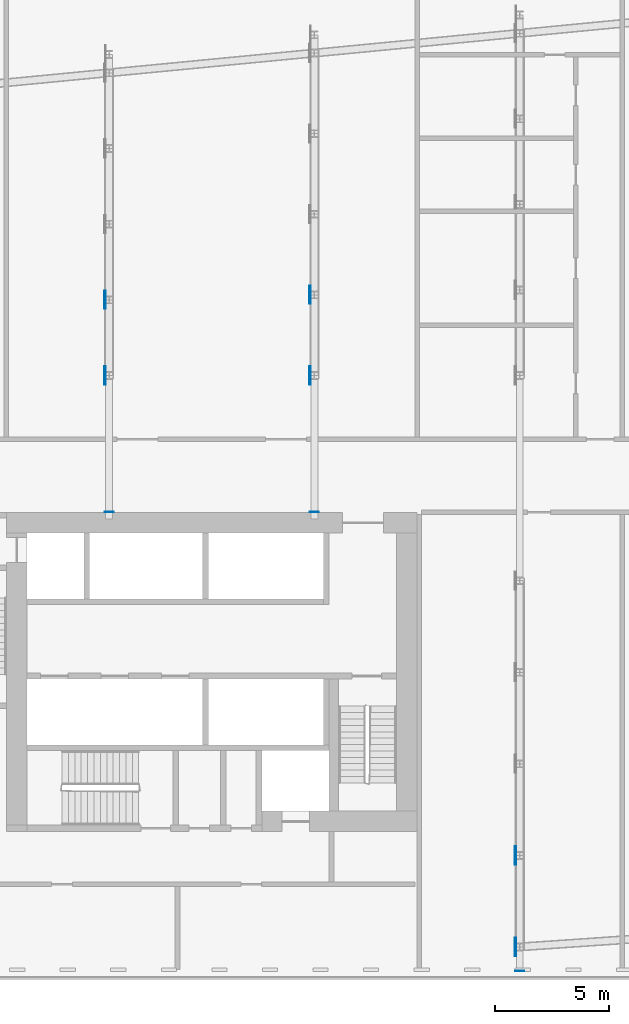
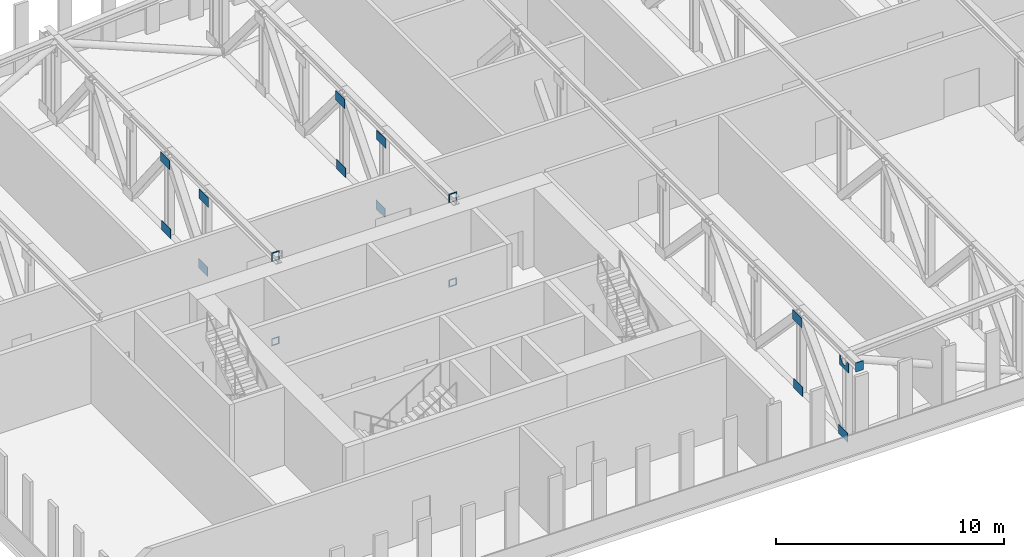
# One storey, part 11 of 22: 17 discrete accessories.
"""IFC4 building model written with IfcOpenShell, lengths in metres."""

from ifc_helpers import new_model, si_unit, direction, frame, origin, place, context, subcontext, project, spatial, polyline, outline, extrude, material, layer, layer_set, type_object, element, save


model = new_model("IFC4")

# Units and contexts
model_context = context("Model", 3, precision=1e-05, world=origin(), true_north=direction((0.0, 1.0)))
body_context = subcontext(model_context, "Body", "Model", "MODEL_VIEW")
ifc_project = project(units=[si_unit("LENGTHUNIT", "METRE"), si_unit("AREAUNIT", "SQUARE_METRE"), si_unit("VOLUMEUNIT", "CUBIC_METRE"), si_unit("PLANEANGLEUNIT", "RADIAN"), si_unit("MASSUNIT", "GRAM", prefix="KILO")], contexts=[model_context])

# Site, building, storey
site_placement = place(None, origin())
site = spatial("IfcSite", under=ifc_project, at=site_placement, CompositionType="ELEMENT")
building_placement = place(site_placement, origin())
building = spatial("IfcBuilding", under=site, at=building_placement, Name="Kajstack Hotel Tower", CompositionType="ELEMENT")
storey_placement = place(building_placement, frame((0.0, 0.0, 99.60009765625)))
storey = spatial("IfcBuildingStorey", under=building, at=storey_placement, Name="L21", CompositionType="ELEMENT", Elevation=99.60009765625)

# Discrete accessories
ifc_material = material(Name="Steel S355J2", Category="steel")
ifc_layer_1 = layer(ifc_material, 0.02490234375)
ifc_layer_set_1 = layer_set([ifc_layer_1], Name="CAST-IN PLATE")
discrete_accessory_type_1 = type_object("IfcDiscreteAccessoryType", Name="CAST-IN PLATE", PredefinedType="BRACKET", material=ifc_layer_set_1)
discrete_accessory_1_placement = place(storey_placement, frame((-18.0, -1.5, -0.150146484375), z_axis=(0.0, 1.0, 0.0), x_axis=(-1.0, 0.0, 0.0)))
element("IfcDiscreteAccessory", 1, at=discrete_accessory_1_placement, inside=storey, type_object=discrete_accessory_type_1, Name="Cast-in plate L21-009", PredefinedType="BRACKET", context=body_context, shape_type="SweptSolid", body=[
    extrude(outline(polyline([(-0.199951171875, -0.199951171875), (0.199951171875, -0.199951171875), (0.199951171875, 0.199951171875), (-0.199951171875, 0.199951171875), (-0.199951171875, -0.199951171875)]), holes=[polyline([(-0.14990234375, -0.14990234375), (-0.14990234375, 0.14990234375), (0.14990234375, 0.14990234375), (0.14990234375, -0.14990234375), (-0.14990234375, -0.14990234375)])]), origin(), (0.0, 0.0, 1.0), 0.02490234375),
])
discrete_accessory_2_placement = place(storey_placement, frame((-18.0, -1.5, 4.40478515625), z_axis=(0.0, 1.0, 0.0), x_axis=(-1.0, 0.0, 0.0)))
element("IfcDiscreteAccessory", 2, at=discrete_accessory_2_placement, inside=storey, type_object=discrete_accessory_type_1, Name="Cast-in plate L21-010", PredefinedType="BRACKET", context=body_context, shape_type="SweptSolid", body=[
    extrude(outline(polyline([(-0.199951171875, -0.2451171875), (0.199951171875, -0.2451171875), (0.199951171875, 0.2451171875), (-0.199951171875, 0.2451171875), (-0.199951171875, -0.2451171875)]), holes=[polyline([(-0.14990234375, -0.195068359375), (-0.14990234375, 0.195068359375), (0.14990234375, 0.195068359375), (0.14990234375, -0.195068359375), (-0.14990234375, -0.195068359375)])]), origin(), (0.0, 0.0, 1.0), 0.02490234375),
])
discrete_accessory_3_placement = place(storey_placement, frame((-27.0, -1.5, -0.150146484375), z_axis=(0.0, 1.0, 0.0), x_axis=(-1.0, 0.0, 0.0)))
element("IfcDiscreteAccessory", 3, at=discrete_accessory_3_placement, inside=storey, type_object=discrete_accessory_type_1, Name="Cast-in plate L21-011", PredefinedType="BRACKET", context=body_context, shape_type="SweptSolid", body=[
    extrude(outline(polyline([(-0.199951171875, -0.199951171875), (0.199951171875, -0.199951171875), (0.199951171875, 0.199951171875), (-0.199951171875, 0.199951171875), (-0.199951171875, -0.199951171875)]), holes=[polyline([(-0.14990234375, -0.14990234375), (-0.14990234375, 0.14990234375), (0.14990234375, 0.14990234375), (0.14990234375, -0.14990234375), (-0.14990234375, -0.14990234375)])]), origin(), (0.0, 0.0, 1.0), 0.02490234375),
])
discrete_accessory_4_placement = place(storey_placement, frame((-27.0, -1.5, 4.40478515625), z_axis=(0.0, 1.0, 0.0), x_axis=(-1.0, 0.0, 0.0)))
element("IfcDiscreteAccessory", 4, at=discrete_accessory_4_placement, inside=storey, type_object=discrete_accessory_type_1, Name="Cast-in plate L21-012", PredefinedType="BRACKET", context=body_context, shape_type="SweptSolid", body=[
    extrude(outline(polyline([(-0.199951171875, -0.2451171875), (0.199951171875, -0.2451171875), (0.199951171875, 0.2451171875), (-0.199951171875, 0.2451171875), (-0.199951171875, -0.2451171875)]), holes=[polyline([(-0.14990234375, -0.195068359375), (-0.14990234375, 0.195068359375), (0.14990234375, 0.195068359375), (0.14990234375, -0.195068359375), (-0.14990234375, -0.195068359375)])]), origin(), (0.0, 0.0, 1.0), 0.02490234375),
])
ifc_layer_2 = layer(ifc_material, 0.02490234375)
ifc_layer_set_2 = layer_set([ifc_layer_2], Name="END PLATE")
discrete_accessory_type_2 = type_object("IfcDiscreteAccessoryType", Name="END PLATE", PredefinedType="BRACKET", material=ifc_layer_set_2)
discrete_accessory_5_placement = place(storey_placement, frame((-9.0, -21.6240234375, 4.40478515625), z_axis=(0.0, 1.0, 0.0), x_axis=(-1.0, 0.0, 0.0)))
element("IfcDiscreteAccessory", 5, at=discrete_accessory_5_placement, inside=storey, type_object=discrete_accessory_type_2, Name="End plate L21-001", PredefinedType="BRACKET", context=body_context, shape_type="SweptSolid", body=[
    extrude(outline(polyline([(-0.199951171875, -0.2451171875), (0.199951171875, -0.2451171875), (0.199951171875, 0.2451171875), (-0.199951171875, 0.2451171875), (-0.199951171875, -0.2451171875)])), origin(), (0.0, 0.0, 1.0), 0.02490234375),
])
ifc_layer_3 = layer(ifc_material, 0.02001953125)
ifc_layer_set_3 = layer_set([ifc_layer_3], Name="GUSSET PLATE")
discrete_accessory_type_3 = type_object("IfcDiscreteAccessoryType", Name="GUSSET PLATE", PredefinedType="BRACKET", material=ifc_layer_set_3)
for number, where, z_axis, x_axis, name in (
    (6, (-27.219970703125, 4.5, 0.0), (1.0, 0.0, 0.0), (0.0, 1.0, 0.0), "Gusset plate L21-163"),
    (7, (-27.175048828125, 4.5, 3.699951171875), (1.0, 0.0, 0.0), (0.0, 1.0, 0.0), "Gusset plate L21-164"),
    (8, (-27.175048828125, 7.815673828125, 0.0), (1.0, 0.0, 0.0), (0.0, 1.0, 0.0), "Gusset plate L21-165"),
    (9, (-27.219970703125, 7.815673828125, 3.699951171875), (1.0, 0.0, 0.0), (0.0, 1.0, 0.0), "Gusset plate L21-166"),
    (10, (-18.219970703125, 4.5, 0.0), (1.0, 0.0, 0.0), (0.0, 1.0, 0.0), "Gusset plate L21-175"),
    (11, (-18.175048828125, 4.5, 3.699951171875), (1.0, 0.0, 0.0), (0.0, 1.0, 0.0), "Gusset plate L21-176"),
    (12, (-18.175048828125, 8.0322265625, 0.0), (1.0, 0.0, 0.0), (0.0, 1.0, 0.0), "Gusset plate L21-177"),
    (13, (-18.219970703125, 8.0322265625, 3.699951171875), (1.0, 0.0, 0.0), (0.0, 1.0, 0.0), "Gusset plate L21-178"),
    (14, (-9.219970703125, -20.550048828125, 0.0), (1.0, 0.0, 0.0), (0.0, 1.0, 0.0), "Gusset plate L21-187"),
):
    element("IfcDiscreteAccessory", number, at=place(storey_placement, frame(where, z_axis=z_axis, x_axis=x_axis)), inside=storey, type_object=discrete_accessory_type_3, Name=name, PredefinedType="BRACKET", context=body_context, shape_type="SweptSolid", body=[
        extrude(outline(polyline([(-0.39990234375, 0.0), (0.39990234375, 0.0), (0.39990234375, 0.5), (-0.39990234375, 0.5), (-0.39990234375, 0.0)])), origin(), (0.0, 0.0, 1.0), 0.02001953125),
    ])
discrete_accessory_6_placement = place(storey_placement, frame((-9.175048828125, -20.550048828125, 3.699951171875), z_axis=(1.0, 0.0, 0.0), x_axis=(0.0, 1.0, 0.0)))
element("IfcDiscreteAccessory", 15, at=discrete_accessory_6_placement, inside=storey, type_object=discrete_accessory_type_3, Name="Gusset plate L21-188", PredefinedType="BRACKET", context=body_context, shape_type="SweptSolid", body=[
    extrude(outline(polyline([(0.39990234375, 0.5), (0.265625, 0.5), (0.268798828125, 0.47021484375), (0.268798828125, 0.444580078125), (0.26611328125, 0.4189453125), (0.26123046875, 0.393798828125), (0.253662109375, 0.369384765625), (0.243896484375, 0.345458984375), (0.231689453125, 0.322998046875), (0.217529296875, 0.3017578125), (0.201171875, 0.28173828125), (0.182861328125, 0.263671875), (0.1630859375, 0.24755859375), (0.1416015625, 0.233154296875), (0.119140625, 0.22119140625), (0.095458984375, 0.21142578125), (0.07080078125, 0.2041015625), (0.045654296875, 0.198974609375), (0.02001953125, 0.196533203125), (-0.005615234375, 0.196533203125), (-0.031005859375, 0.19921875), (-0.056396484375, 0.204345703125), (-0.080810546875, 0.211669921875), (-0.1044921875, 0.2216796875), (-0.127197265625, 0.233642578125), (-0.1484375, 0.248046875), (-0.168212890625, 0.264404296875), (-0.186279296875, 0.282470703125), (-0.20263671875, 0.30224609375), (-0.216796875, 0.32373046875), (-0.228759765625, 0.346435546875), (-0.23876953125, 0.3701171875), (-0.24609375, 0.39453125), (-0.2509765625, 0.419921875), (-0.2626953125, 0.5), (-0.39990234375, 0.5), (-0.39990234375, 0.0), (0.39990234375, 0.0), (0.39990234375, 0.5)])), origin(), (0.0, 0.0, 1.0), 0.02001953125),
])
for number, where, z_axis, x_axis, name in (
    (16, (-9.175048828125, -16.53759765625, 0.0), (1.0, 0.0, 0.0), (0.0, 1.0, 0.0), "Gusset plate L21-189"),
    (17, (-9.219970703125, -16.53759765625, 3.699951171875), (1.0, 0.0, 0.0), (0.0, 1.0, 0.0), "Gusset plate L21-190"),
):
    element("IfcDiscreteAccessory", number, at=place(storey_placement, frame(where, z_axis=z_axis, x_axis=x_axis)), inside=storey, type_object=discrete_accessory_type_3, Name=name, PredefinedType="BRACKET", context=body_context, shape_type="SweptSolid", body=[
        extrude(outline(polyline([(-0.39990234375, 0.0), (0.39990234375, 0.0), (0.39990234375, 0.5), (-0.39990234375, 0.5), (-0.39990234375, 0.0)])), origin(), (0.0, 0.0, 1.0), 0.02001953125),
    ])

save(model, "model.ifc")
